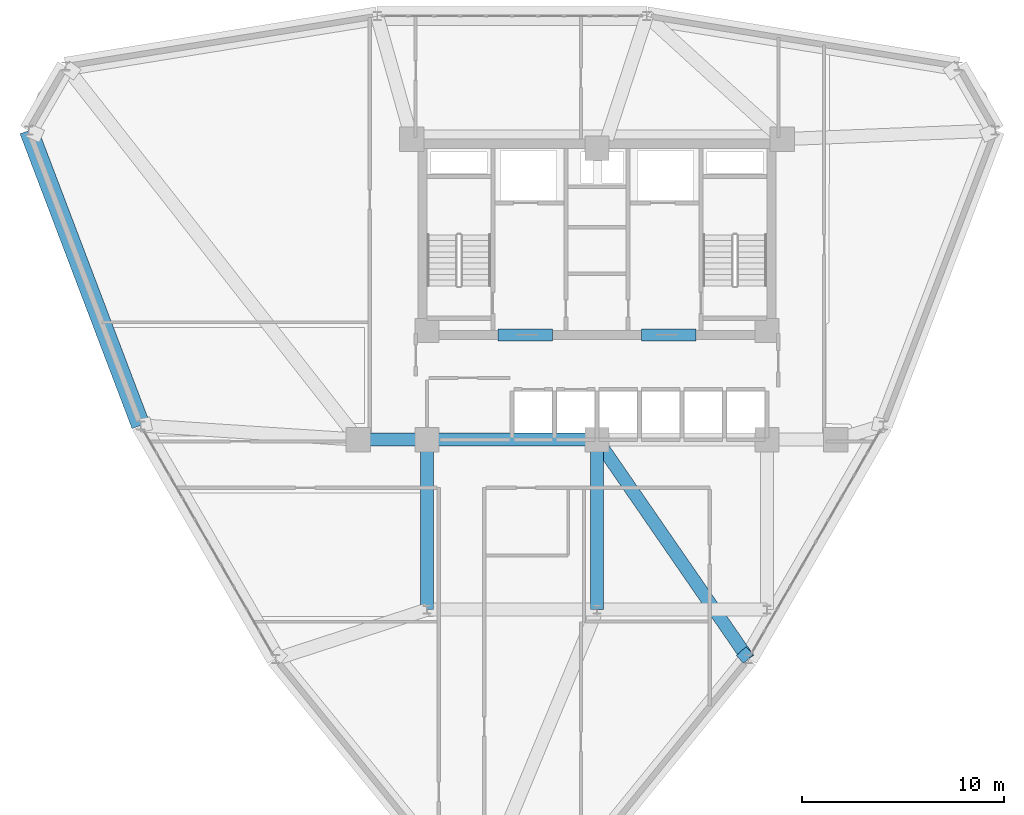
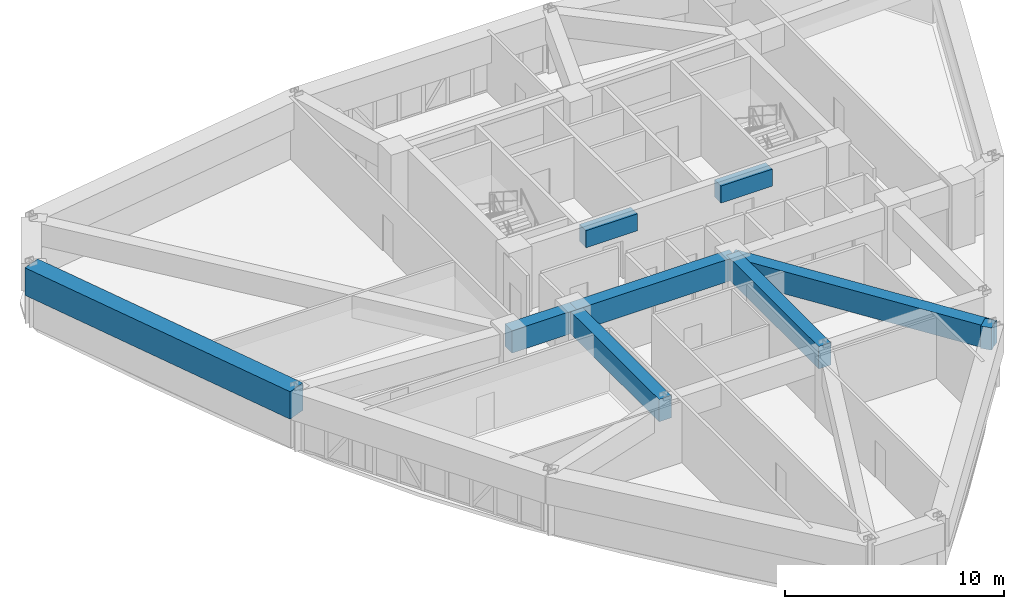
# One storey, part 5 of 16: 9 beams.
"""IFC4 building model written with IfcOpenShell, lengths in metres."""

from ifc_helpers import new_model, si_unit, derived_unit, direction, frame, origin, origin_2d, place, context, subcontext, project, spatial, rectangle, extrude, source, transform, mapped, material, material_profile, profile_set, type_object, element, save


model = new_model("IFC4")

# Units and contexts
model_context = context("Model", 3, precision=1e-05, world=origin(), true_north=direction((0.0, 1.0)))
body_context = subcontext(model_context, "Body", "Model", "MODEL_VIEW")
ifc_project = project(units=[si_unit("LENGTHUNIT", "METRE"), si_unit("AREAUNIT", "SQUARE_METRE"), si_unit("VOLUMEUNIT", "CUBIC_METRE"), si_unit("PLANEANGLEUNIT", "RADIAN"), si_unit("MASSUNIT", "GRAM", prefix="KILO"), derived_unit("THERMALTRANSMITTANCEUNIT", [(si_unit("POWERUNIT", "WATT"), 1), (si_unit("LENGTHUNIT", "METRE"), -2), (si_unit("THERMODYNAMICTEMPERATUREUNIT", "KELVIN"), -1)])], contexts=[model_context])

# Site, building, storey
site_placement = place(None, origin())
site = spatial("IfcSite", under=ifc_project, at=site_placement, CompositionType="ELEMENT")
building_placement = place(site_placement, origin())
building = spatial("IfcBuilding", under=site, at=building_placement, Name="Korsvarv Bourse and Concert Hall", CompositionType="ELEMENT")
storey_placement = place(building_placement, frame((0.0, 0.0, 143.39990234375)))
storey = spatial("IfcBuildingStorey", under=building, at=storey_placement, Name="L36", CompositionType="ELEMENT", Elevation=143.39990234375)

# Beams
ifc_material_1 = material(Name="Concrete C55/67", Category="concrete")
ifc_material_profile_1 = material_profile(ifc_material_1, rectangle(XDim=0.60009765625, YDim=0.949951171875, at=origin_2d()), Name="RC-BM 600x950")
ifc_profile_set_1 = profile_set([ifc_material_profile_1], Name="Concrete C55/67")
beam_type_1 = type_object("IfcBeamType", Name="BM-CPL", PredefinedType="LINTEL", material=ifc_profile_set_1)
shared_shape_1 = source(origin(), body_context, "Body", "SweptSolid", [
    extrude(rectangle(XDim=0.60009765625, YDim=0.949951171875, at=origin_2d()), origin(), (0.0, 0.0, 1.0), 2.699951171875),
])
for number, where, z_axis, x_axis, name in (
    (1, (31.10009765625, 37.574951171875, 2.925048828125), (1.0, 0.0, 0.0), (0.0, 1.0, 0.0), "L36 Core Coupling Beam West"),
    (2, (38.199951171875, 37.574951171875, 2.925048828125), (1.0, 0.0, 0.0), (0.0, 1.0, 0.0), "L36 Core Coupling Beam East"),
):
    element("IfcBeam", number, at=place(storey_placement, frame(where, z_axis=z_axis, x_axis=x_axis)), inside=storey, type_object=beam_type_1, Name=name, PredefinedType="LINTEL", context=body_context, shape_type="MappedRepresentation", body=[
        mapped(shared_shape_1, transform((0.0, 0.0, 0.0), scale=1.0)),
    ])
ifc_material_2 = material(Name="Concrete C50/60", Category="concrete")
ifc_material_profile_2 = material_profile(ifc_material_2, rectangle(XDim=0.64990234375, YDim=1.239990234375, at=origin_2d()), Name="RC-BM 650x1240")
ifc_profile_set_2 = profile_set([ifc_material_profile_2], Name="Concrete C50/60")
beam_type_2 = type_object("IfcBeamType", Name="BM-TR-SPN", PredefinedType="BEAM", material=ifc_profile_set_2)
shared_shape_2 = source(origin(), body_context, "Body", "SweptSolid", [
    extrude(rectangle(XDim=0.64990234375, YDim=1.239990234375, at=origin_2d()), origin(), (0.0, 0.0, 1.0), 3.400146484375),
])
beam_1_placement = place(storey_placement, frame((24.199951171875, 32.39990234375, 2.780029296875), z_axis=(1.0, 0.0, 0.0), x_axis=(0.0, 1.0, 0.0)))
element("IfcBeam", 3, at=beam_1_placement, inside=storey, type_object=beam_type_2, Name="L36 beam B-TRS", PredefinedType="BEAM", context=body_context, shape_type="MappedRepresentation", body=[
    mapped(shared_shape_2, transform((0.0, 0.0, 0.0), scale=1.0)),
])
shared_shape_3 = source(origin(), body_context, "Body", "SweptSolid", [
    extrude(rectangle(XDim=0.64990234375, YDim=1.239990234375, at=origin_2d()), origin(), (0.0, 0.0, 1.0), 8.39990234375),
])
for number, where, z_axis, x_axis, name in (
    (4, (27.60009765625, 32.39990234375, 2.780029296875), (1.0, 0.0, 0.0), (0.0, 1.0, 0.0), "L36 beam B-TRS"),
    (5, (27.60009765625, 24.0, 2.780029296875), (0.0, 1.0, 0.0), (-1.0, 0.0, 0.0), "L36 beam B-TRS"),
    (6, (36.0, 24.0, 2.780029296875), (0.0, 1.0, 0.0), (-1.0, 0.0, 0.0), "L36 beam B-TRS"),
):
    element("IfcBeam", number, at=place(storey_placement, frame(where, z_axis=z_axis, x_axis=x_axis)), inside=storey, type_object=beam_type_2, Name=name, PredefinedType="BEAM", context=body_context, shape_type="MappedRepresentation", body=[
        mapped(shared_shape_3, transform((0.0, 0.0, 0.0), scale=1.0)),
    ])
ifc_material_profile_3 = material_profile(ifc_material_2, rectangle(XDim=0.919921875, YDim=1.530029296875, at=origin_2d()), Name="RC-BM 920x1530")
ifc_profile_set_3 = profile_set([ifc_material_profile_3], Name="Concrete C50/60")
beam_type_3 = type_object("IfcBeamType", Name="BM-TR-154", PredefinedType="BEAM", material=ifc_profile_set_3)
shared_shape_4 = source(origin(), body_context, "Body", "SweptSolid", [
    extrude(rectangle(XDim=0.919921875, YDim=1.530029296875, at=origin_2d()), origin(), (0.0, 0.0, 1.0), 15.5927734375),
])
beam_2_placement = place(storey_placement, frame((7.913818359375, 47.677978515625, 2.635009765625), z_axis=(0.355294650218, -0.934754358923, 0.0), x_axis=(0.934754358923, 0.355294650218, 0.0)))
element("IfcBeam", 7, at=beam_2_placement, inside=storey, type_object=beam_type_3, Name="L36 beam B-TR6", PredefinedType="BEAM", context=body_context, shape_type="MappedRepresentation", body=[
    mapped(shared_shape_4, transform((0.0, 0.0, 0.0), scale=1.0)),
])
shared_shape_5 = source(origin(), body_context, "Body", "SweptSolid", [
    extrude(rectangle(XDim=0.64990234375, YDim=1.239990234375, at=origin_2d()), origin(), (0.0, 0.0, 1.0), 13.171142578125),
])
beam_3_placement = place(storey_placement, frame((43.482421875, 21.560546875, 2.780029296875), z_axis=(-0.568093286695, 0.822964165449, 0.0), x_axis=(-0.822964165449, -0.568093286695, 0.0)))
element("IfcBeam", 8, at=beam_3_placement, inside=storey, type_object=beam_type_2, Name="L36 beam B-TRS", PredefinedType="BEAM", context=body_context, shape_type="MappedRepresentation", body=[
    mapped(shared_shape_5, transform((0.0, 0.0, 0.0), scale=1.0)),
])
shared_shape_6 = source(origin(), body_context, "Body", "SweptSolid", [
    extrude(rectangle(XDim=0.64990234375, YDim=1.239990234375, at=origin_2d()), origin(), (0.0, 0.0, 1.0), 0.5263671875),
])
beam_4_placement = place(storey_placement, frame((43.482421875, 21.560546875, 2.780029296875), z_axis=(-0.668785345802, 0.743455554314, 0.0), x_axis=(-0.743455554314, -0.668785345802, 0.0)))
element("IfcBeam", 9, at=beam_4_placement, inside=storey, type_object=beam_type_2, Name="L36 beam B-TRS", PredefinedType="BEAM", context=body_context, shape_type="MappedRepresentation", body=[
    mapped(shared_shape_6, transform((0.0, 0.0, 0.0), scale=1.0)),
])

save(model, "model.ifc")
